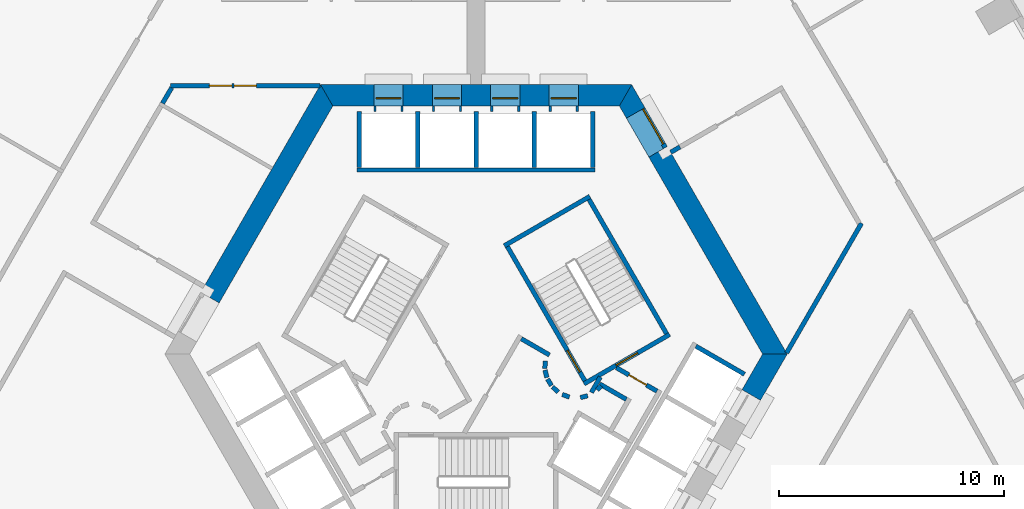
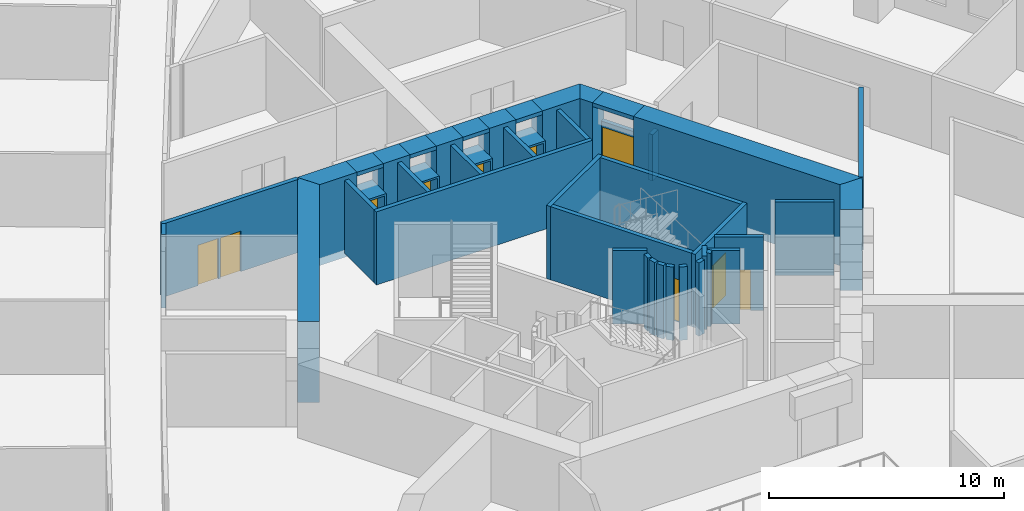
# One storey, part 8 of 17: 45 walls, 10 doors, 10 openings.
"""IFC4 building model written with IfcOpenShell, lengths in metres."""

from ifc_helpers import new_model, si_unit, direction, frame, frame_2d, origin, place, context, subcontext, project, spatial, polyline, rectangle, outline, extrude, material, layer, layer_set, type_object, element, fill, save


model = new_model("IFC4")

# Units and contexts
model_context = context("Model", 3, precision=1e-05, world=origin(), true_north=direction((0.0, 1.0)))
body_context = subcontext(model_context, "Body", "Model", "MODEL_VIEW")
ifc_project = project(units=[si_unit("LENGTHUNIT", "METRE"), si_unit("AREAUNIT", "SQUARE_METRE"), si_unit("VOLUMEUNIT", "CUBIC_METRE"), si_unit("PLANEANGLEUNIT", "RADIAN"), si_unit("MASSUNIT", "GRAM", prefix="KILO")], contexts=[model_context])

# Site, building, storey
site_placement = place(None, origin())
site = spatial("IfcSite", under=ifc_project, at=site_placement, CompositionType="ELEMENT")
building_placement = place(site_placement, origin())
building = spatial("IfcBuilding", under=site, at=building_placement, Name="Entoto Arch Interchange Tower", CompositionType="ELEMENT")
storey_placement = place(building_placement, frame((0.0, 0.0, 72.800048828125)))
storey = spatial("IfcBuildingStorey", under=building, at=storey_placement, Name="L15", CompositionType="ELEMENT", Elevation=72.800048828125)

# Wall, opening, door
ifc_material_1 = material(Name="Reinforced concrete C40/50", Category="concrete")
ifc_layer_1 = layer(ifc_material_1, 0.199951171875)
ifc_layer_set_1 = layer_set([ifc_layer_1], Name="Reinforced concrete C40/50")
wall_type_1 = type_object("IfcWallType", Name="CORE GAP INFILL WALL", PredefinedType="PARTITIONING", material=ifc_layer_set_1)
wall_1_placement = place(storey_placement, frame((8.429931640625, 11.697998046875, 0.0), z_axis=(0.0, 0.0, 1.0), x_axis=(-0.50002537861, 0.866010750942, 0.0)))
wall_1 = element("IfcWall", 1, at=wall_1_placement, inside=storey, type_object=wall_type_1, Name="wall:L15:gap2", PredefinedType="PARTITIONING", context=body_context, shape_type="SweptSolid", body=[
    extrude(rectangle(XDim=2.0, YDim=0.199951171875, at=frame_2d((1.0, 0.0))), origin(), (0.0, 0.0, 1.0), 2.39990234375),
])
opening_1_placement = place(wall_1_placement, frame((0.18994140625, 0.0, 0.0)))
opening_1 = element("IfcOpeningElement", 2, at=opening_1_placement, cuts=wall_1, Name="Opening L15-D92", PredefinedType="OPENING", context=body_context, shape_type="SweptSolid", body=[
    extrude(rectangle(XDim=1.800048828125, YDim=2.10009765625, at=frame_2d((0.89990234375, 1.050048828125))), frame((0.0, 0.10986328125, 0.0), z_axis=(0.0, -1.0, 0.0), x_axis=(1.0, 0.0, 0.0)), (0.0, 0.0, 1.0), 0.219970703125),
])
ifc_material_2 = material(Name="Fire-rated Steel S235 door and frame", Category="steel")
door_type_1 = type_object("IfcDoorType", Name="DOOR FD-18 1800x2100", OperationType="DOUBLE_DOOR_SINGLE_SWING", PredefinedType="DOOR", material=ifc_material_2)
door_1_placement = place(opening_1_placement, origin())
door_1 = element("IfcDoor", 3, at=door_1_placement, inside=storey, type_object=door_type_1, Name="door:L15:gap2", OperationType="DOUBLE_DOOR_SINGLE_SWING", OverallHeight=2.10009765625, OverallWidth=1.800048828125, PredefinedType="DOOR", context=body_context, shape_type="SweptSolid", body=[
    extrude(rectangle(XDim=1.800048828125, YDim=2.10009765625, at=frame_2d((0.89990234375, 1.050048828125))), frame((0.0, 0.02490234375, 0.0), z_axis=(0.0, -1.0, 0.0), x_axis=(1.0, 0.0, 0.0)), (0.0, 0.0, 1.0), 0.050048828125),
])
fill(opening_1, door_1)

# Walls
ifc_material_3 = material(Name="Concrete C60/75", Category="concrete")
ifc_layer_2 = layer(ifc_material_3, 0.949951171875)
ifc_layer_set_2 = layer_set([ifc_layer_2], Name="Concrete C60/75")
wall_type_2 = type_object("IfcWallType", Name="Core wall 950 C60/75", PredefinedType="SHEAR", material=ifc_layer_set_2)
wall_2_placement = place(storey_placement, frame((0.0, 0.0, -0.400146484375)))
element("IfcWall", 4, at=wall_2_placement, inside=storey, type_object=wall_type_2, Name="Core wall NE L15", PredefinedType="SHEAR", context=body_context, shape_type="SweptSolid", body=[
    extrude(outline(polyline([(8.51708984375, 11.748046875), (7.694091796875, 11.27294921875), (12.759033203125, 2.5), (13.85595703125, 2.5), (8.51708984375, 11.748046875)])), origin(), (0.0, 0.0, 1.0), 4.2001953125),
])
wall_3_placement = place(storey_placement, frame((0.0, 0.0, -0.400146484375)))
element("IfcWall", 5, at=wall_3_placement, inside=storey, type_object=wall_type_2, Name="Core wall NE L15", PredefinedType="SHEAR", context=body_context, shape_type="SweptSolid", body=[
    extrude(outline(polyline([(6.695068359375, 13.0048828125), (7.51708984375, 13.47998046875), (6.927978515625, 14.5), (6.3798828125, 13.550048828125), (6.695068359375, 13.0048828125)])), origin(), (0.0, 0.0, 1.0), 4.2001953125),
])
wall_4_placement = place(storey_placement, frame((0.0, 0.0, 3.599853515625)))
element("IfcWall", 6, at=wall_4_placement, inside=storey, type_object=wall_type_2, Name="Core wall lintel NE L15", PredefinedType="SHEAR", context=body_context, shape_type="SweptSolid", body=[
    extrude(outline(polyline([(7.51708984375, 13.47998046875), (6.695068359375, 13.0048828125), (7.694091796875, 11.27294921875), (8.51708984375, 11.748046875), (7.51708984375, 13.47998046875)])), origin(), (0.0, 0.0, 1.0), 0.2001953125),
])
wall_5_placement = place(storey_placement, frame((0.0, 0.0, -0.400146484375)))
element("IfcWall", 7, at=wall_5_placement, inside=storey, type_object=wall_type_2, Name="Core wall N L15", PredefinedType="SHEAR", context=body_context, shape_type="SweptSolid", body=[
    extrude(outline(polyline([(4.550048828125, 14.5), (4.550048828125, 13.550048828125), (6.3798828125, 13.550048828125), (6.927978515625, 14.5), (4.550048828125, 14.5)])), origin(), (0.0, 0.0, 1.0), 4.2001953125),
])
wall_6_placement = place(storey_placement, frame((0.0, 0.0, -0.400146484375)))
element("IfcWall", 8, at=wall_6_placement, inside=storey, type_object=wall_type_2, Name="Core wall N L15", PredefinedType="SHEAR", context=body_context, shape_type="SweptSolid", body=[
    extrude(outline(polyline([(1.949951171875, 14.5), (1.949951171875, 13.550048828125), (3.25, 13.550048828125), (3.25, 14.5), (1.949951171875, 14.5)])), origin(), (0.0, 0.0, 1.0), 4.2001953125),
])
wall_7_placement = place(storey_placement, frame((0.0, 0.0, -0.400146484375)))
element("IfcWall", 9, at=wall_7_placement, inside=storey, type_object=wall_type_2, Name="Core wall N L15", PredefinedType="SHEAR", context=body_context, shape_type="SweptSolid", body=[
    extrude(outline(polyline([(-0.64990234375, 14.5), (-0.64990234375, 13.550048828125), (0.64990234375, 13.550048828125), (0.64990234375, 14.5), (-0.64990234375, 14.5)])), origin(), (0.0, 0.0, 1.0), 4.2001953125),
])
wall_8_placement = place(storey_placement, frame((0.0, 0.0, -0.400146484375)))
element("IfcWall", 10, at=wall_8_placement, inside=storey, type_object=wall_type_2, Name="Core wall N L15", PredefinedType="SHEAR", context=body_context, shape_type="SweptSolid", body=[
    extrude(outline(polyline([(-3.25, 14.5), (-3.25, 13.550048828125), (-1.949951171875, 13.550048828125), (-1.949951171875, 14.5), (-3.25, 14.5)])), origin(), (0.0, 0.0, 1.0), 4.2001953125),
])
wall_9_placement = place(storey_placement, frame((0.0, 0.0, -0.400146484375)))
element("IfcWall", 11, at=wall_9_placement, inside=storey, type_object=wall_type_2, Name="Core wall N L15", PredefinedType="SHEAR", context=body_context, shape_type="SweptSolid", body=[
    extrude(outline(polyline([(-4.550048828125, 13.550048828125), (-4.550048828125, 14.5), (-6.927978515625, 14.5), (-6.3798828125, 13.550048828125), (-4.550048828125, 13.550048828125)])), origin(), (0.0, 0.0, 1.0), 4.2001953125),
])
wall_10_placement = place(storey_placement, frame((0.0, 0.0, 3.599853515625)))
element("IfcWall", 12, at=wall_10_placement, inside=storey, type_object=wall_type_2, Name="Core wall lintel N L15", PredefinedType="SHEAR", context=body_context, shape_type="SweptSolid", body=[
    extrude(outline(polyline([(3.25, 14.5), (3.25, 13.550048828125), (4.550048828125, 13.550048828125), (4.550048828125, 14.5), (3.25, 14.5)])), origin(), (0.0, 0.0, 1.0), 0.2001953125),
])
wall_11_placement = place(storey_placement, frame((0.0, 0.0, 3.599853515625)))
element("IfcWall", 13, at=wall_11_placement, inside=storey, type_object=wall_type_2, Name="Core wall lintel N L15", PredefinedType="SHEAR", context=body_context, shape_type="SweptSolid", body=[
    extrude(outline(polyline([(0.64990234375, 14.5), (0.64990234375, 13.550048828125), (1.949951171875, 13.550048828125), (1.949951171875, 14.5), (0.64990234375, 14.5)])), origin(), (0.0, 0.0, 1.0), 0.2001953125),
])
wall_12_placement = place(storey_placement, frame((0.0, 0.0, 3.599853515625)))
element("IfcWall", 14, at=wall_12_placement, inside=storey, type_object=wall_type_2, Name="Core wall lintel N L15", PredefinedType="SHEAR", context=body_context, shape_type="SweptSolid", body=[
    extrude(outline(polyline([(-1.949951171875, 14.5), (-1.949951171875, 13.550048828125), (-0.64990234375, 13.550048828125), (-0.64990234375, 14.5), (-1.949951171875, 14.5)])), origin(), (0.0, 0.0, 1.0), 0.2001953125),
])
wall_13_placement = place(storey_placement, frame((0.0, 0.0, 3.599853515625)))
element("IfcWall", 15, at=wall_13_placement, inside=storey, type_object=wall_type_2, Name="Core wall lintel N L15", PredefinedType="SHEAR", context=body_context, shape_type="SweptSolid", body=[
    extrude(outline(polyline([(-4.550048828125, 14.5), (-4.550048828125, 13.550048828125), (-3.25, 13.550048828125), (-3.25, 14.5), (-4.550048828125, 14.5)])), origin(), (0.0, 0.0, 1.0), 0.2001953125),
])
wall_14_placement = place(storey_placement, frame((0.0, 0.0, -0.400146484375)))
element("IfcWall", 16, at=wall_14_placement, inside=storey, type_object=wall_type_2, Name="Core wall NW L15", PredefinedType="SHEAR", context=body_context, shape_type="SweptSolid", body=[
    extrude(outline(polyline([(-12.26708984375, 5.251953125), (-11.444091796875, 4.777099609375), (-6.3798828125, 13.550048828125), (-6.927978515625, 14.5), (-12.26708984375, 5.251953125)])), origin(), (0.0, 0.0, 1.0), 4.2001953125),
])
wall_15_placement = place(storey_placement, frame((0.0, 0.0, -0.400146484375)))
element("IfcWall", 17, at=wall_15_placement, inside=storey, type_object=wall_type_2, Name="Core wall SE L15", PredefinedType="SHEAR", context=body_context, shape_type="SweptSolid", body=[
    extrude(outline(polyline([(11.843994140625, 0.9150390625), (12.6669921875, 0.43994140625), (13.85595703125, 2.5), (12.759033203125, 2.5), (11.843994140625, 0.9150390625)])), origin(), (0.0, 0.0, 1.0), 4.2001953125),
])

# Wall, opening, door
ifc_material_4 = material(Name="Concrete C40/50", Category="concrete")
ifc_layer_3 = layer(ifc_material_4, 1.199951171875)
ifc_layer_set_3 = layer_set([ifc_layer_3], Name="Concrete C40/50")
wall_type_3 = type_object("IfcWallType", Name="LIFT LANDING INFILL WALL", PredefinedType="STANDARD", material=ifc_layer_set_3)
wall_16_placement = place(storey_placement, frame((4.550048828125, 13.89990234375, 0.0), z_axis=(0.0, 0.0, 1.0), x_axis=(-1.0, 0.0, 0.0)))
wall_16 = element("IfcWall", 18, at=wall_16_placement, inside=storey, type_object=wall_type_3, Name="Lift landing infill wall LR1 L15", PredefinedType="STANDARD", context=body_context, shape_type="SweptSolid", body=[
    extrude(rectangle(XDim=1.300048828125, YDim=1.199951171875, at=frame_2d((0.64990234375, 0.0))), origin(), (0.0, 0.0, 1.0), 2.39990234375),
])
opening_2_placement = place(wall_16_placement, frame((0.10009765625, 0.0, 0.0)))
opening_2 = element("IfcOpeningElement", 19, at=opening_2_placement, cuts=wall_16, Name="Opening LD-LR1-L15", PredefinedType="OPENING", context=body_context, shape_type="SweptSolid", body=[
    extrude(rectangle(XDim=1.10009765625, YDim=2.300048828125, at=frame_2d((0.550048828125, 1.14990234375))), frame((0.0, 0.60986328125, 0.0), z_axis=(0.0, -1.0, 0.0), x_axis=(1.0, 0.0, 0.0)), (0.0, 0.0, 1.0), 1.219970703125),
])
ifc_material_5 = material(Name="Stainless steel 1.4301 panels", Category="steel")
door_type_2 = type_object("IfcDoorType", Name="LIFT LANDING DOOR LD2 1100x2300", OperationType="SLIDING_TO_LEFT", PredefinedType="DOOR", material=ifc_material_5)
door_2_placement = place(opening_2_placement, origin())
door_2 = element("IfcDoor", 20, at=door_2_placement, inside=storey, type_object=door_type_2, Name="Lift landing door LR1 L15", OperationType="SLIDING_TO_LEFT", OverallHeight=2.300048828125, OverallWidth=1.10009765625, PredefinedType="DOOR", context=body_context, shape_type="SweptSolid", body=[
    extrude(rectangle(XDim=1.10009765625, YDim=2.300048828125, at=frame_2d((0.550048828125, 1.14990234375))), frame((0.0, 0.02490234375, 0.0), z_axis=(0.0, -1.0, 0.0), x_axis=(1.0, 0.0, 0.0)), (0.0, 0.0, 1.0), 0.050048828125),
])
fill(opening_2, door_2)

wall_17_placement = place(storey_placement, frame((1.949951171875, 13.89990234375, 0.0), z_axis=(0.0, 0.0, 1.0), x_axis=(-1.0, 0.0, 0.0)))
wall_17 = element("IfcWall", 21, at=wall_17_placement, inside=storey, type_object=wall_type_3, Name="Lift landing infill wall LR2 L15", PredefinedType="STANDARD", context=body_context, shape_type="SweptSolid", body=[
    extrude(rectangle(XDim=1.300048828125, YDim=1.199951171875, at=frame_2d((0.64990234375, 0.0))), origin(), (0.0, 0.0, 1.0), 2.39990234375),
])
opening_3_placement = place(wall_17_placement, frame((0.10009765625, 0.0, 0.0)))
opening_3 = element("IfcOpeningElement", 22, at=opening_3_placement, cuts=wall_17, Name="Opening LD-LR2-L15", PredefinedType="OPENING", context=body_context, shape_type="SweptSolid", body=[
    extrude(rectangle(XDim=1.10009765625, YDim=2.300048828125, at=frame_2d((0.550048828125, 1.14990234375))), frame((0.0, 0.60986328125, 0.0), z_axis=(0.0, -1.0, 0.0), x_axis=(1.0, 0.0, 0.0)), (0.0, 0.0, 1.0), 1.219970703125),
])
door_3_placement = place(opening_3_placement, origin())
door_3 = element("IfcDoor", 23, at=door_3_placement, inside=storey, type_object=door_type_2, Name="Lift landing door LR2 L15", OperationType="SLIDING_TO_LEFT", OverallHeight=2.300048828125, OverallWidth=1.10009765625, PredefinedType="DOOR", context=body_context, shape_type="SweptSolid", body=[
    extrude(rectangle(XDim=1.10009765625, YDim=2.300048828125, at=frame_2d((0.550048828125, 1.14990234375))), frame((0.0, 0.02490234375, 0.0), z_axis=(0.0, -1.0, 0.0), x_axis=(1.0, 0.0, 0.0)), (0.0, 0.0, 1.0), 0.050048828125),
])
fill(opening_3, door_3)

wall_18_placement = place(storey_placement, frame((-0.64990234375, 13.89990234375, 0.0), z_axis=(0.0, 0.0, 1.0), x_axis=(-1.0, 0.0, 0.0)))
wall_18 = element("IfcWall", 24, at=wall_18_placement, inside=storey, type_object=wall_type_3, Name="Lift landing infill wall LR3 L15", PredefinedType="STANDARD", context=body_context, shape_type="SweptSolid", body=[
    extrude(rectangle(XDim=1.300048828125, YDim=1.199951171875, at=frame_2d((0.64990234375, 0.0))), origin(), (0.0, 0.0, 1.0), 2.39990234375),
])
opening_4_placement = place(wall_18_placement, frame((0.10009765625, 0.0, 0.0)))
opening_4 = element("IfcOpeningElement", 25, at=opening_4_placement, cuts=wall_18, Name="Opening LD-LR3-L15", PredefinedType="OPENING", context=body_context, shape_type="SweptSolid", body=[
    extrude(rectangle(XDim=1.10009765625, YDim=2.300048828125, at=frame_2d((0.550048828125, 1.14990234375))), frame((0.0, 0.60986328125, 0.0), z_axis=(0.0, -1.0, 0.0), x_axis=(1.0, 0.0, 0.0)), (0.0, 0.0, 1.0), 1.219970703125),
])
door_4_placement = place(opening_4_placement, origin())
door_4 = element("IfcDoor", 26, at=door_4_placement, inside=storey, type_object=door_type_2, Name="Lift landing door LR3 L15", OperationType="SLIDING_TO_LEFT", OverallHeight=2.300048828125, OverallWidth=1.10009765625, PredefinedType="DOOR", context=body_context, shape_type="SweptSolid", body=[
    extrude(rectangle(XDim=1.10009765625, YDim=2.300048828125, at=frame_2d((0.550048828125, 1.14990234375))), frame((0.0, 0.02490234375, 0.0), z_axis=(0.0, -1.0, 0.0), x_axis=(1.0, 0.0, 0.0)), (0.0, 0.0, 1.0), 0.050048828125),
])
fill(opening_4, door_4)

wall_19_placement = place(storey_placement, frame((-3.25, 13.89990234375, 0.0), z_axis=(0.0, 0.0, 1.0), x_axis=(-1.0, 0.0, 0.0)))
wall_19 = element("IfcWall", 27, at=wall_19_placement, inside=storey, type_object=wall_type_3, Name="Lift landing infill wall LR4 L15", PredefinedType="STANDARD", context=body_context, shape_type="SweptSolid", body=[
    extrude(rectangle(XDim=1.300048828125, YDim=1.199951171875, at=frame_2d((0.64990234375, 0.0))), origin(), (0.0, 0.0, 1.0), 2.39990234375),
])
opening_5_placement = place(wall_19_placement, frame((0.10009765625, 0.0, 0.0)))
opening_5 = element("IfcOpeningElement", 28, at=opening_5_placement, cuts=wall_19, Name="Opening LD-LR4-L15", PredefinedType="OPENING", context=body_context, shape_type="SweptSolid", body=[
    extrude(rectangle(XDim=1.10009765625, YDim=2.300048828125, at=frame_2d((0.550048828125, 1.14990234375))), frame((0.0, 0.60986328125, 0.0), z_axis=(0.0, -1.0, 0.0), x_axis=(1.0, 0.0, 0.0)), (0.0, 0.0, 1.0), 1.219970703125),
])
door_5_placement = place(opening_5_placement, origin())
door_5 = element("IfcDoor", 29, at=door_5_placement, inside=storey, type_object=door_type_2, Name="Lift landing door LR4 L15", OperationType="SLIDING_TO_LEFT", OverallHeight=2.300048828125, OverallWidth=1.10009765625, PredefinedType="DOOR", context=body_context, shape_type="SweptSolid", body=[
    extrude(rectangle(XDim=1.10009765625, YDim=2.300048828125, at=frame_2d((0.550048828125, 1.14990234375))), frame((0.0, 0.02490234375, 0.0), z_axis=(0.0, -1.0, 0.0), x_axis=(1.0, 0.0, 0.0)), (0.0, 0.0, 1.0), 0.050048828125),
])
fill(opening_5, door_5)

# Walls
ifc_layer_4 = layer(ifc_material_4, 0.199951171875)
ifc_layer_set_4 = layer_set([ifc_layer_4], Name="Concrete C40/50")
wall_type_4 = type_object("IfcWallType", Name="LIFT SHAFT WALL 200", PredefinedType="STANDARD", material=ifc_layer_set_4)
wall_20_placement = place(storey_placement, frame((5.300048828125, 10.699951171875, 0.0), z_axis=(0.0, 0.0, 1.0), x_axis=(-1.0, 0.0, 0.0)))
element("IfcWall", 30, at=wall_20_placement, inside=storey, type_object=wall_type_4, Name="Shaft wall N3 front", PredefinedType="STANDARD", context=body_context, shape_type="SweptSolid", body=[
    extrude(rectangle(XDim=10.60009765625, YDim=0.199951171875, at=frame_2d((5.300048828125, 0.0))), origin(), (0.0, 0.0, 1.0), 3.800048828125),
])
for number, where, z_axis, x_axis, name in (
    (31, (5.199951171875, 10.800048828125, 0.0), (0.0, 0.0, 1.0), (0.0, 1.0, 0.0), "Shaft wall N3 cross 1"),
    (32, (2.60009765625, 10.800048828125, 0.0), (0.0, 0.0, 1.0), (0.0, 1.0, 0.0), "Shaft wall N3 cross 2"),
    (33, (0.0, 10.800048828125, 0.0), (0.0, 0.0, 1.0), (0.0, 1.0, 0.0), "Shaft wall N3 cross 3"),
    (34, (-2.60009765625, 10.800048828125, 0.0), (0.0, 0.0, 1.0), (0.0, 1.0, 0.0), "Shaft wall N3 cross 4"),
    (35, (-5.199951171875, 10.800048828125, 0.0), (0.0, 0.0, 1.0), (0.0, 1.0, 0.0), "Shaft wall N3 cross 5"),
):
    element("IfcWall", number, at=place(storey_placement, frame(where, z_axis=z_axis, x_axis=x_axis)), inside=storey, type_object=wall_type_4, Name=name, PredefinedType="STANDARD", context=body_context, shape_type="SweptSolid", body=[
        extrude(rectangle(XDim=2.5, YDim=0.199951171875, at=frame_2d((1.25, 0.0))), origin(), (0.0, 0.0, 1.0), 3.800048828125),
    ])
wall_21_placement = place(storey_placement, frame((9.7880859375, 2.85302734375, 0.0), z_axis=(0.0, 0.0, 1.0), x_axis=(0.865998541277, -0.500046524342, 0.0)))
element("IfcWall", 36, at=wall_21_placement, inside=storey, type_object=wall_type_4, Name="Shaft wall SE3 cross 5", PredefinedType="STANDARD", context=body_context, shape_type="SweptSolid", body=[
    extrude(rectangle(XDim=2.499755859375, YDim=0.199951171875, at=frame_2d((1.25, 0.0))), origin(), (0.0, 0.0, 1.0), 3.800048828125),
])
ifc_material_6 = material(Name="Gypsum board partition on steel studs", Category="steel")
ifc_layer_5 = layer(ifc_material_6, 0.199951171875)
ifc_layer_set_5 = layer_set([ifc_layer_5], Name="Gypsum board partition on steel studs")
wall_type_5 = type_object("IfcWallType", Name="PARTITION 200", PredefinedType="PARTITIONING", material=ifc_layer_set_5)
wall_22_placement = place(storey_placement, frame((-13.556884765625, 14.364013671875, 0.0), z_axis=(0.0, 0.0, 1.0), x_axis=(-0.507840899418, -0.861450881292, 0.0)))
element("IfcWall", 37, at=wall_22_placement, inside=storey, type_object=wall_type_5, Name="wall:L15:p004", PredefinedType="PARTITIONING", context=body_context, shape_type="SweptSolid", body=[
    extrude(rectangle(XDim=0.8056640625, YDim=0.199951171875, at=frame_2d((0.40283203125, 0.0))), origin(), (0.0, 0.0, 1.0), 3.800048828125),
])
wall_23_placement = place(storey_placement, frame((5.389892578125, 0.89794921875, 0.0), z_axis=(0.0, 0.0, 1.0), x_axis=(0.673828488714, 0.738887791073, 0.0)))
element("IfcWall", 38, at=wall_23_placement, inside=storey, type_object=wall_type_5, Name="wall:L15:p079", PredefinedType="PARTITIONING", context=body_context, shape_type="SweptSolid", body=[
    extrude(rectangle(XDim=0.2626953125, YDim=0.199951171875, at=frame_2d((0.13134765625, 0.0))), origin(), (0.0, 0.0, 1.0), 3.800048828125),
])
wall_24_placement = place(storey_placement, frame((5.4990234375, 1.172119140625, 0.0), z_axis=(0.0, 0.0, 1.0), x_axis=(0.866333505267, -0.499465972466, 0.0)))
element("IfcWall", 39, at=wall_24_placement, inside=storey, type_object=wall_type_5, Name="wall:L15:p080", PredefinedType="PARTITIONING", context=body_context, shape_type="SweptSolid", body=[
    extrude(rectangle(XDim=1.37353515625, YDim=0.199951171875, at=frame_2d((0.686767578125, 0.0))), origin(), (0.0, 0.0, 1.0), 3.800048828125),
])

# Wall, opening, door
wall_25_placement = place(storey_placement, frame((6.25, 1.89404296875, 0.0), z_axis=(0.0, 0.0, 1.0), x_axis=(0.866043184279, -0.499969202016, 0.0)))
wall_25 = element("IfcWall", 40, at=wall_25_placement, inside=storey, type_object=wall_type_5, Name="wall:L15:p082", PredefinedType="PARTITIONING", context=body_context, shape_type="SweptSolid", body=[
    extrude(rectangle(XDim=2.084228515625, YDim=0.199951171875, at=frame_2d((1.0419921875, 0.0))), origin(), (0.0, 0.0, 1.0), 3.800048828125),
])
opening_6_placement = place(wall_25_placement, frame((0.64208984375, 0.0, 0.0)))
opening_6 = element("IfcOpeningElement", 41, at=opening_6_placement, cuts=wall_25, Name="Opening L15-D35", PredefinedType="OPENING", context=body_context, shape_type="SweptSolid", body=[
    extrude(rectangle(XDim=0.89990234375, YDim=2.10009765625, at=frame_2d((0.449951171875, 1.050048828125))), frame((0.0, 0.10986328125, 0.0), z_axis=(0.0, -1.0, 0.0), x_axis=(1.0, 0.0, 0.0)), (0.0, 0.0, 1.0), 0.219970703125),
])
ifc_material_7 = material(Name="Timber door leaf in Steel S235 frame", Category="steel")
door_type_3 = type_object("IfcDoorType", Name="DOOR DS-09 900x2100", OperationType="SINGLE_SWING_LEFT", PredefinedType="DOOR", material=ifc_material_7)
door_6_placement = place(opening_6_placement, origin())
door_6 = element("IfcDoor", 42, at=door_6_placement, inside=storey, type_object=door_type_3, Name="door:L15:35", OperationType="SINGLE_SWING_LEFT", OverallHeight=2.10009765625, OverallWidth=0.89990234375, PredefinedType="DOOR", context=body_context, shape_type="SweptSolid", body=[
    extrude(rectangle(XDim=0.89990234375, YDim=2.10009765625, at=frame_2d((0.449951171875, 1.050048828125))), frame((0.0, 0.02490234375, 0.0), z_axis=(0.0, -1.0, 0.0), x_axis=(1.0, 0.0, 0.0)), (0.0, 0.0, 1.0), 0.050048828125),
])
fill(opening_6, door_6)

# Wall
wall_26_placement = place(storey_placement, frame((5.135009765625, 0.79296875, 0.0), z_axis=(0.0, 0.0, 1.0), x_axis=(0.499526442893, 0.866298639529, 0.0)))
element("IfcWall", 43, at=wall_26_placement, inside=storey, type_object=wall_type_5, Name="wall:L15:p084", PredefinedType="PARTITIONING", context=body_context, shape_type="SweptSolid", body=[
    extrude(rectangle(XDim=0.790771484375, YDim=0.199951171875, at=frame_2d((0.3955078125, 0.0))), origin(), (0.0, 0.0, 1.0), 3.800048828125),
])

# Wall, openings, doors
wall_27_placement = place(storey_placement, frame((-6.95703125, 14.449951171875, 0.0), z_axis=(0.0, 0.0, 1.0), x_axis=(-1.0, 0.0, 0.0)))
wall_27 = element("IfcWall", 44, at=wall_27_placement, inside=storey, type_object=wall_type_5, Name="wall:L15:p091", PredefinedType="PARTITIONING", context=body_context, shape_type="SweptSolid", body=[
    extrude(rectangle(XDim=6.64892578125, YDim=0.199951171875, at=frame_2d((3.324462890625, 0.0))), origin(), (0.0, 0.0, 1.0), 3.800048828125),
])
opening_7_placement = place(wall_27_placement, frame((2.824951171875, 0.0, 0.0)))
opening_7 = element("IfcOpeningElement", 45, at=opening_7_placement, cuts=wall_27, Name="Opening L15-D31", PredefinedType="OPENING", context=body_context, shape_type="SweptSolid", body=[
    extrude(rectangle(XDim=1.0, YDim=2.10009765625, at=frame_2d((0.5, 1.050048828125))), frame((0.0, 0.10986328125, 0.0), z_axis=(0.0, -1.0, 0.0), x_axis=(1.0, 0.0, 0.0)), (0.0, 0.0, 1.0), 0.219970703125),
])
opening_8_placement = place(wall_27_placement, frame((3.925048828125, 0.0, 0.0)))
opening_8 = element("IfcOpeningElement", 46, at=opening_8_placement, cuts=wall_27, Name="Opening L15-D39", PredefinedType="OPENING", context=body_context, shape_type="SweptSolid", body=[
    extrude(rectangle(XDim=1.0, YDim=2.10009765625, at=frame_2d((0.5, 1.050048828125))), frame((0.0, 0.10986328125, 0.0), z_axis=(0.0, -1.0, 0.0), x_axis=(1.0, 0.0, 0.0)), (0.0, 0.0, 1.0), 0.219970703125),
])
door_type_4 = type_object("IfcDoorType", Name="DOOR DS-10 1000x2100", OperationType="SINGLE_SWING_LEFT", PredefinedType="DOOR", material=ifc_material_7)
door_7_placement = place(opening_7_placement, origin())
door_7 = element("IfcDoor", 47, at=door_7_placement, inside=storey, type_object=door_type_4, Name="door:L15:31", OperationType="SINGLE_SWING_LEFT", OverallHeight=2.10009765625, OverallWidth=1.0, PredefinedType="DOOR", context=body_context, shape_type="SweptSolid", body=[
    extrude(rectangle(XDim=1.0, YDim=2.10009765625, at=frame_2d((0.5, 1.050048828125))), frame((0.0, 0.02490234375, 0.0), z_axis=(0.0, -1.0, 0.0), x_axis=(1.0, 0.0, 0.0)), (0.0, 0.0, 1.0), 0.050048828125),
])
fill(opening_7, door_7)
door_8_placement = place(opening_8_placement, origin())
door_8 = element("IfcDoor", 48, at=door_8_placement, inside=storey, type_object=door_type_4, Name="door:L15:39", OperationType="SINGLE_SWING_RIGHT", OverallHeight=2.10009765625, OverallWidth=1.0, PredefinedType="DOOR", context=body_context, shape_type="SweptSolid", body=[
    extrude(rectangle(XDim=1.0, YDim=2.10009765625, at=frame_2d((0.5, 1.050048828125))), frame((0.0, 0.02490234375, 0.0), z_axis=(0.0, -1.0, 0.0), x_axis=(1.0, 0.0, 0.0)), (0.0, 0.0, 1.0), 0.050048828125),
])
fill(opening_8, door_8)

# Walls
wall_28_placement = place(storey_placement, frame((13.826904296875, 2.550048828125, 0.0), z_axis=(0.0, 0.0, 1.0), x_axis=(0.500039204794, 0.866002767703, 0.0)))
element("IfcWall", 49, at=wall_28_placement, inside=storey, type_object=wall_type_5, Name="wall:L15:p092", PredefinedType="PARTITIONING", context=body_context, shape_type="SweptSolid", body=[
    extrude(rectangle(XDim=6.671875, YDim=0.199951171875, at=frame_2d((3.3359375, 0.0))), origin(), (0.0, 0.0, 1.0), 3.800048828125),
])
wall_29_placement = place(storey_placement, frame((2.011962890625, 3.18603515625, 0.0), z_axis=(0.0, 0.0, 1.0), x_axis=(0.865891012941, -0.500232699559, 0.0)))
element("IfcWall", 50, at=wall_29_placement, inside=storey, type_object=wall_type_5, Name="wall:L15:p094", PredefinedType="PARTITIONING", context=body_context, shape_type="SweptSolid", body=[
    extrude(rectangle(XDim=1.449462890625, YDim=0.199951171875, at=frame_2d((0.724609375, 0.0))), origin(), (0.0, 0.0, 1.0), 3.800048828125),
])
wall_30_placement = place(storey_placement, frame((3.0791015625, 2.198974609375, 0.0), z_axis=(0.0, 0.0, 1.0), x_axis=(-0.047771483479, -0.998858290933, 0.0)))
element("IfcWall", 51, at=wall_30_placement, inside=storey, type_object=wall_type_5, Name="wall:L15:p095", PredefinedType="PARTITIONING", context=body_context, shape_type="SweptSolid", body=[
    extrude(rectangle(XDim=0.33740234375, YDim=0.199951171875, at=frame_2d((0.168701171875, 0.0))), origin(), (0.0, 0.0, 1.0), 3.800048828125),
])
wall_31_placement = place(storey_placement, frame((3.070068359375, 1.785888671875, 0.0), z_axis=(0.0, 0.0, 1.0), x_axis=(0.242705583207, -0.970099994784, 0.0)))
element("IfcWall", 52, at=wall_31_placement, inside=storey, type_object=wall_type_5, Name="wall:L15:p096", PredefinedType="PARTITIONING", context=body_context, shape_type="SweptSolid", body=[
    extrude(rectangle(XDim=0.337890625, YDim=0.199951171875, at=frame_2d((0.1689453125, 0.0))), origin(), (0.0, 0.0, 1.0), 3.800048828125),
])
for number, where, z_axis, x_axis, name in (
    (53, (3.181884765625, 1.387939453125, 0.0), (0.0, 0.0, 1.0), (0.512474702713, -0.85870232274, 0.0), "wall:L15:p097"),
    (54, (3.404052734375, 1.0390625, 0.0), (0.0, 0.0, 1.0), (0.740267097712, -0.672312891476, 0.0), "wall:L15:p098"),
):
    element("IfcWall", number, at=place(storey_placement, frame(where, z_axis=z_axis, x_axis=x_axis)), inside=storey, type_object=wall_type_5, Name=name, PredefinedType="PARTITIONING", context=body_context, shape_type="SweptSolid", body=[
        extrude(rectangle(XDim=0.337646484375, YDim=0.199951171875, at=frame_2d((0.1689453125, 0.0))), origin(), (0.0, 0.0, 1.0), 3.800048828125),
    ])
wall_32_placement = place(storey_placement, frame((3.837890625, 0.701904296875, 0.0), z_axis=(0.0, 0.0, 1.0), x_axis=(0.941035081519, -0.338308993895, 0.0)))
element("IfcWall", 55, at=wall_32_placement, inside=storey, type_object=wall_type_5, Name="wall:L15:p099", PredefinedType="PARTITIONING", context=body_context, shape_type="SweptSolid", body=[
    extrude(rectangle(XDim=0.3369140625, YDim=0.199951171875, at=frame_2d((0.16845703125, 0.0))), origin(), (0.0, 0.0, 1.0), 3.800048828125),
])
wall_33_placement = place(storey_placement, frame((4.64404296875, 0.56396484375, 0.0), z_axis=(0.0, 0.0, 1.0), x_axis=(0.969929076366, 0.243387729394, 0.0)))
element("IfcWall", 56, at=wall_33_placement, inside=storey, type_object=wall_type_5, Name="wall:L15:p100", PredefinedType="PARTITIONING", context=body_context, shape_type="SweptSolid", body=[
    extrude(rectangle(XDim=0.337158203125, YDim=0.199951171875, at=frame_2d((0.16845703125, 0.0))), origin(), (0.0, 0.0, 1.0), 3.800048828125),
])
wall_34_placement = place(storey_placement, frame((9.0791015625, 11.72607421875, 0.0), z_axis=(0.0, 0.0, 1.0), x_axis=(-0.865929261247, -0.500166486798, 0.0)))
element("IfcWall", 57, at=wall_34_placement, inside=storey, type_object=wall_type_5, Name="wall:L15:p007", PredefinedType="PARTITIONING", context=body_context, shape_type="SweptSolid", body=[
    extrude(rectangle(XDim=0.475830078125, YDim=0.199951171875, at=frame_2d((0.23779296875, 0.0))), origin(), (0.0, 0.0, 1.0), 2.39990234375),
])

# Wall, opening, door
ifc_layer_6 = layer(ifc_material_4, 0.199951171875)
ifc_layer_set_6 = layer_set([ifc_layer_6], Name="Concrete C40/50")
wall_type_6 = type_object("IfcWallType", Name="STAIR ENCLOSURE WALL 200", PredefinedType="STANDARD", material=ifc_layer_set_6)
wall_35_placement = place(storey_placement, frame((4.805908203125, 1.176025390625, 0.0), z_axis=(0.0, 0.0, 1.0), x_axis=(0.866059941101, 0.499940174841, 0.0)))
wall_35 = element("IfcWall", 58, at=wall_35_placement, inside=storey, type_object=wall_type_6, Name="Stair wall ST-NE near", PredefinedType="STANDARD", context=body_context, shape_type="SweptSolid", body=[
    extrude(rectangle(XDim=4.400390625, YDim=0.199951171875, at=frame_2d((2.2001953125, 0.0))), origin(), (0.0, 0.0, 1.0), 3.800048828125),
])
opening_9_placement = place(wall_35_placement, frame((1.64990234375, 0.0, 0.0)))
opening_9 = element("IfcOpeningElement", 59, at=opening_9_placement, cuts=wall_35, Name="Opening SD-ST-NE-L15-E", PredefinedType="OPENING", context=body_context, shape_type="SweptSolid", body=[
    extrude(rectangle(XDim=1.10009765625, YDim=2.199951171875, at=frame_2d((0.550048828125, 1.10009765625))), frame((0.0, 0.10986328125, 0.0), z_axis=(0.0, -1.0, 0.0), x_axis=(1.0, 0.0, 0.0)), (0.0, 0.0, 1.0), 0.219970703125),
])
ifc_material_8 = material(Name="Steel S235", Category="steel")
door_type_5 = type_object("IfcDoorType", Name="STAIR DOOR SD1 1100x2200", OperationType="SINGLE_SWING_LEFT", PredefinedType="DOOR", material=ifc_material_8)
door_9_placement = place(opening_9_placement, origin())
door_9 = element("IfcDoor", 60, at=door_9_placement, inside=storey, type_object=door_type_5, Name="Stair door ST-NE L15 end", OperationType="SINGLE_SWING_LEFT", OverallHeight=2.199951171875, OverallWidth=1.10009765625, PredefinedType="DOOR", context=body_context, shape_type="SweptSolid", body=[
    extrude(rectangle(XDim=1.10009765625, YDim=2.199951171875, at=frame_2d((0.550048828125, 1.10009765625))), frame((0.0, 0.02490234375, 0.0), z_axis=(0.0, -1.0, 0.0), x_axis=(1.0, 0.0, 0.0)), (0.0, 0.0, 1.0), 0.050048828125),
])
fill(opening_9, door_9)

# Wall
wall_36_placement = place(storey_placement, frame((1.256103515625, 7.323974609375, 0.0), z_axis=(0.0, 0.0, 1.0), x_axis=(0.866046073146, 0.499964197906, 0.0)))
element("IfcWall", 61, at=wall_36_placement, inside=storey, type_object=wall_type_6, Name="Stair wall ST-NE far", PredefinedType="STANDARD", context=body_context, shape_type="SweptSolid", body=[
    extrude(rectangle(XDim=4.400146484375, YDim=0.199951171875, at=frame_2d((2.2001953125, 0.0))), origin(), (0.0, 0.0, 1.0), 3.800048828125),
])

# Wall, opening, door
wall_37_placement = place(storey_placement, frame((4.843017578125, 1.31201171875, 0.0), z_axis=(0.0, 0.0, 1.0), x_axis=(-0.499963383562, 0.866046543262, 0.0)))
wall_37 = element("IfcWall", 62, at=wall_37_placement, inside=storey, type_object=wall_type_6, Name="Stair wall ST-NE hall", PredefinedType="STANDARD", context=body_context, shape_type="SweptSolid", body=[
    extrude(rectangle(XDim=6.900390625, YDim=0.199951171875, at=frame_2d((3.4501953125, 0.0))), origin(), (0.0, 0.0, 1.0), 3.800048828125),
])
opening_10_placement = place(wall_37_placement, frame((0.449951171875, 0.0, 0.0)))
opening_10 = element("IfcOpeningElement", 63, at=opening_10_placement, cuts=wall_37, Name="Opening SD-ST-NE-L15", PredefinedType="OPENING", context=body_context, shape_type="SweptSolid", body=[
    extrude(rectangle(XDim=1.10009765625, YDim=2.199951171875, at=frame_2d((0.550048828125, 1.10009765625))), frame((0.0, 0.10986328125, 0.0), z_axis=(0.0, -1.0, 0.0), x_axis=(1.0, 0.0, 0.0)), (0.0, 0.0, 1.0), 0.219970703125),
])
door_10_placement = place(opening_10_placement, origin())
door_10 = element("IfcDoor", 64, at=door_10_placement, inside=storey, type_object=door_type_5, Name="Stair door ST-NE L15", OperationType="SINGLE_SWING_LEFT", OverallHeight=2.199951171875, OverallWidth=1.10009765625, PredefinedType="DOOR", context=body_context, shape_type="SweptSolid", body=[
    extrude(rectangle(XDim=1.10009765625, YDim=2.199951171875, at=frame_2d((0.550048828125, 1.10009765625))), frame((0.0, 0.02490234375, 0.0), z_axis=(0.0, -1.0, 0.0), x_axis=(1.0, 0.0, 0.0)), (0.0, 0.0, 1.0), 0.050048828125),
])
fill(opening_10, door_10)

# Wall
wall_38_placement = place(storey_placement, frame((8.47998046875, 3.412109375, 0.0), z_axis=(0.0, 0.0, 1.0), x_axis=(-0.499978703459, 0.866037698999, 0.0)))
element("IfcWall", 65, at=wall_38_placement, inside=storey, type_object=wall_type_6, Name="Stair wall ST-NE back", PredefinedType="STANDARD", context=body_context, shape_type="SweptSolid", body=[
    extrude(rectangle(XDim=6.900146484375, YDim=0.199951171875, at=frame_2d((3.4501953125, 0.0))), origin(), (0.0, 0.0, 1.0), 3.800048828125),
])

save(model, "model.ifc")
